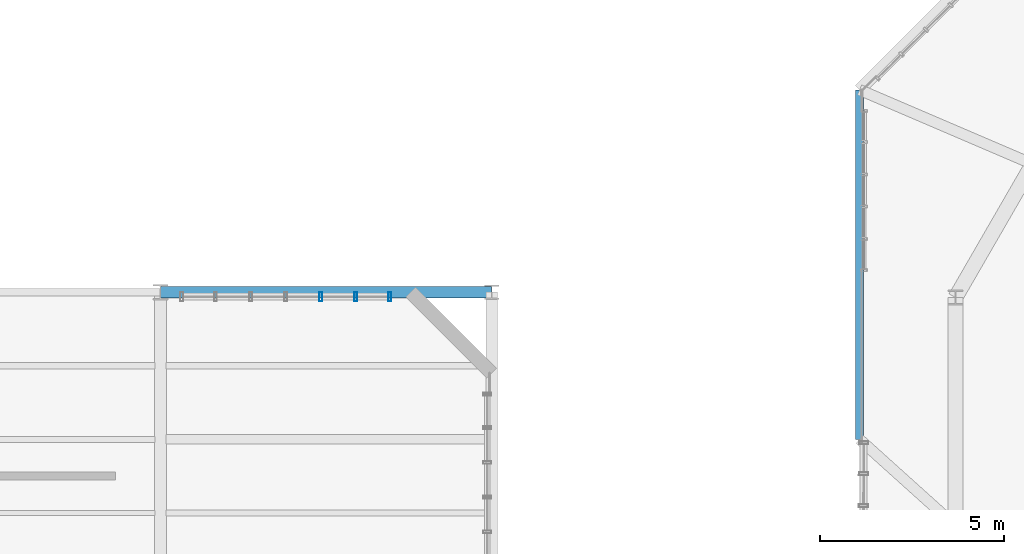
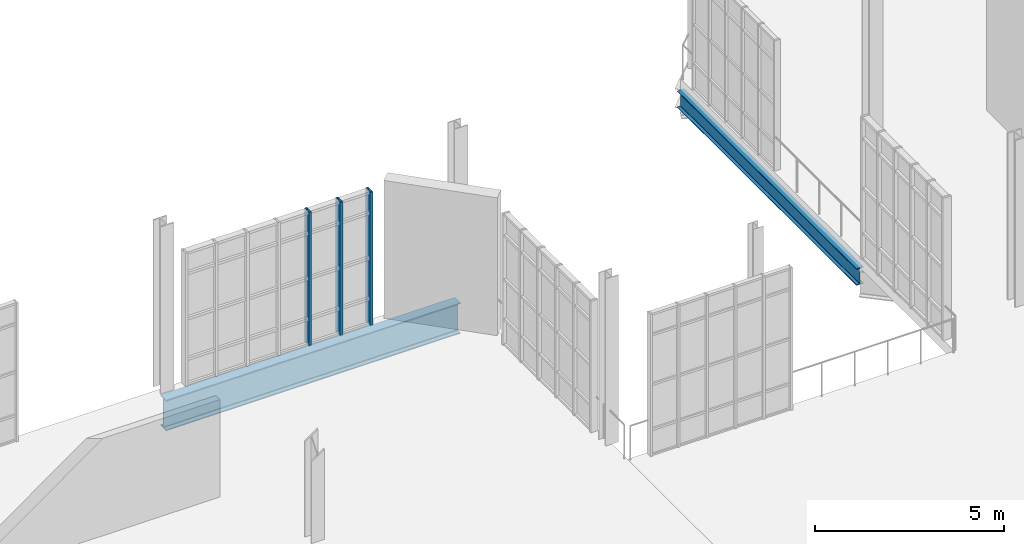
# One storey, part 38 of 189: 3 members, 2 beams, 1 element without a shape of its own.
"""IFC4 building model written with IfcOpenShell, lengths in metres."""

from ifc_helpers import new_model, si_unit, direction, frame, origin, origin_2d, place, context, subcontext, project, spatial, hollow_rectangle, i_section, extrude, material, layer, layer_set, material_profile, profile_set, type_object, element, aggregate, save


model = new_model("IFC4")

# Units and contexts
model_context = context("Model", 3, precision=1e-05, world=origin(), true_north=direction((0.0, 1.0)))
body_context = subcontext(model_context, "Body", "Model", "MODEL_VIEW")
ifc_project = project(units=[si_unit("LENGTHUNIT", "METRE"), si_unit("AREAUNIT", "SQUARE_METRE"), si_unit("VOLUMEUNIT", "CUBIC_METRE"), si_unit("PLANEANGLEUNIT", "RADIAN"), si_unit("MASSUNIT", "GRAM", prefix="KILO"), si_unit("THERMODYNAMICTEMPERATUREUNIT", "KELVIN"), si_unit("POWERUNIT", "WATT")], contexts=[model_context])

# Site, building, storey
site_placement = place(None, origin())
site = spatial("IfcSite", under=ifc_project, at=site_placement, CompositionType="ELEMENT")
building_placement = place(site_placement, origin())
building = spatial("IfcBuilding", under=site, at=building_placement, Name="Zelmaris Science Centre", CompositionType="ELEMENT")
storey_placement = place(building_placement, origin())
storey = spatial("IfcBuildingStorey", under=building, at=storey_placement, Name="L00", CompositionType="ELEMENT", Elevation=0.0)

# Curtain wall, members
ifc_material_1 = material(Name="Anodised architectural aluminium 6063-T6", Category="aluminium")
ifc_layer = layer(ifc_material_1, 0.18994140625, Name="Anodised architectural aluminium 6063-T6")
ifc_layer_set = layer_set([ifc_layer], Name="Anodised architectural aluminium 6063-T6")
curtain_wall_type = type_object("IfcCurtainWallType", Name="Curtain Wall CW-01", PredefinedType="USERDEFINED", material=ifc_layer_set)
curtain_wall_placement = place(storey_placement, origin())
curtain_wall = element("IfcCurtainWall", 1, at=curtain_wall_placement, inside=storey, type_object=curtain_wall_type, Name="L00 Unitised curtain wall 45", ObjectType="GLAZED CURTAIN WALL", PredefinedType="USERDEFINED")
ifc_material_profile_1 = material_profile(ifc_material_1, hollow_rectangle(XDim=0.080078125, YDim=0.25, WallThickness=0.0048828125, at=origin_2d()), Name="ALU-MUL-80X250")
ifc_profile_set_1 = profile_set([ifc_material_profile_1], Name="Anodised architectural aluminium 6063-T6")
member_type = type_object("IfcMemberType", Name="ALU-MUL-80X250", PredefinedType="MULLION", material=ifc_profile_set_1)
member_1_placement = place(storey_placement, frame((49.353271484375, 39.8798828125, -0.014892578125), z_axis=(0.0, 0.0, 1.0), x_axis=(0.999999999994, -3.490659e-06, 0.0)))
member_1 = element("IfcMember", 2, at=member_1_placement, type_object=member_type, Name="CW-01 mullion 5", PredefinedType="MULLION", context=body_context, shape_type="SweptSolid", body=[
    extrude(hollow_rectangle(XDim=0.080078125, YDim=0.25, WallThickness=0.0048828125, at=origin_2d()), origin(), (0.0, 0.0, 1.0), 4.322998046875),
])
member_2_placement = place(storey_placement, frame((50.306640625, 39.8798828125, -0.014892578125), z_axis=(0.0, 0.0, 1.0), x_axis=(0.999999999994, -3.490659e-06, 0.0)))
member_2 = element("IfcMember", 3, at=member_2_placement, type_object=member_type, Name="CW-01 mullion 6", PredefinedType="MULLION", context=body_context, shape_type="SweptSolid", body=[
    extrude(hollow_rectangle(XDim=0.080078125, YDim=0.25, WallThickness=0.0048828125, at=origin_2d()), origin(), (0.0, 0.0, 1.0), 4.322998046875),
])
member_3_placement = place(storey_placement, frame((51.22412109375, 39.8798828125, -0.014892578125), z_axis=(0.0, 0.0, 1.0), x_axis=(0.999999999994, -3.490659e-06, 0.0)))
member_3 = element("IfcMember", 4, at=member_3_placement, type_object=member_type, Name="CW-01 mullion 7", PredefinedType="MULLION", context=body_context, shape_type="SweptSolid", body=[
    extrude(hollow_rectangle(XDim=0.080078125, YDim=0.25, WallThickness=0.0048828125, at=origin_2d()), origin(), (0.0, 0.0, 1.0), 4.322998046875),
])
aggregate(curtain_wall, [member_1, member_2, member_3])

# Beams
ifc_material_2 = material(Name="Steel ASTM A992 Grade 50", Category="steel")
ifc_material_profile_2 = material_profile(ifc_material_2, i_section(OverallWidth=0.300048828125, OverallDepth=0.990966796875, WebThickness=0.0166015625, FlangeThickness=0.030517578125, FilletRadius=0.02490234375, at=origin_2d()), Name="W40X183")
ifc_profile_set_2 = profile_set([ifc_material_profile_2], Name="Steel ASTM A992 Grade 50")
beam_type_1 = type_object("IfcBeamType", Name="Beam G-24 W40X183", PredefinedType="BEAM", material=ifc_profile_set_2)
beam_1_placement = place(storey_placement, frame((45.0, 40.0, -0.805419921875), z_axis=(1.0, 0.0, 0.0), x_axis=(0.0, 1.0, 0.0)))
element("IfcBeam", 5, at=beam_1_placement, inside=storey, type_object=beam_type_1, Name="L00 East-west girder 137", PredefinedType="BEAM", context=body_context, shape_type="SweptSolid", body=[
    extrude(i_section(OverallWidth=0.300048828125, OverallDepth=0.990966796875, WebThickness=0.0166015625, FlangeThickness=0.030517578125, FilletRadius=0.02490234375, at=origin_2d()), origin(), (0.0, 0.0, 1.0), 9.0),
])
ifc_material_profile_3 = material_profile(ifc_material_2, i_section(OverallWidth=0.2109375, OverallDepth=0.5380859375, WebThickness=0.01171875, FlangeThickness=0.018798828125, FilletRadius=0.013916015625, at=origin_2d()), Name="W21X73")
ifc_profile_set_3 = profile_set([ifc_material_profile_3], Name="Steel ASTM A992 Grade 50")
beam_type_2 = type_object("IfcBeamType", Name="Beam SP-02 W21X73", PredefinedType="SPANDREL", material=ifc_profile_set_3)
beam_2_placement = place(storey_placement, frame((64.0, 45.5, -0.60888671875), z_axis=(0.0, -1.0, 0.0), x_axis=(1.0, 0.0, 0.0)))
element("IfcBeam", 6, at=beam_2_placement, inside=storey, type_object=beam_type_2, Name="L00 Rotated facade spandrel beam 4", PredefinedType="SPANDREL", context=body_context, shape_type="SweptSolid", body=[
    extrude(i_section(OverallWidth=0.2109375, OverallDepth=0.5380859375, WebThickness=0.01171875, FlangeThickness=0.018798828125, FilletRadius=0.013916015625, at=origin_2d()), origin(), (0.0, 0.0, 1.0), 9.5),
])

save(model, "model.ifc")
